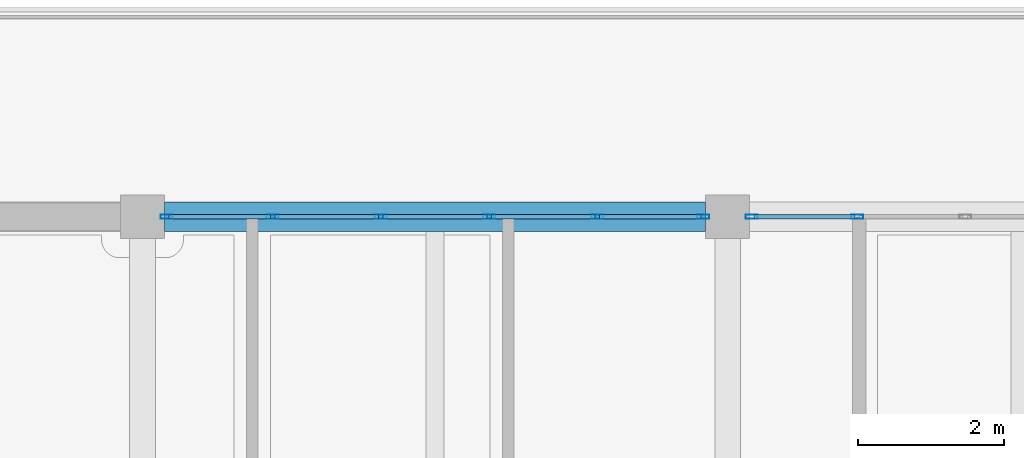
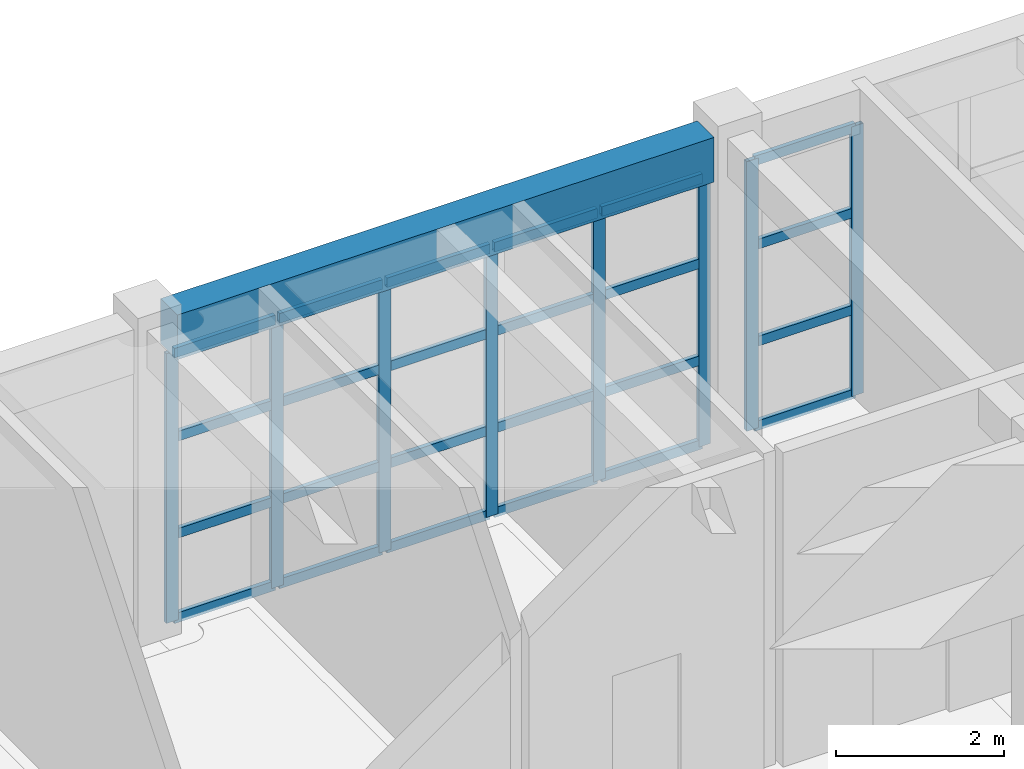
# One storey, part 12 of 32: 32 members, 1 beam, 2 elements without a shape of their own.
"""IFC4 building model written with IfcOpenShell, lengths in metres."""

from ifc_helpers import new_model, si_unit, direction, frame, origin, origin_2d, place, context, subcontext, project, spatial, rectangle, hollow_rectangle, extrude, material, material_profile, profile_set, type_object, element, aggregate, save


model = new_model("IFC4")

# Units and contexts
model_context = context("Model", 3, precision=1e-05, world=origin(), true_north=direction((0.0, 1.0)))
body_context = subcontext(model_context, "Body", "Model", "MODEL_VIEW")
ifc_project = project(units=[si_unit("LENGTHUNIT", "METRE"), si_unit("AREAUNIT", "SQUARE_METRE"), si_unit("VOLUMEUNIT", "CUBIC_METRE"), si_unit("PLANEANGLEUNIT", "RADIAN"), si_unit("MASSUNIT", "GRAM", prefix="KILO")], contexts=[model_context])

# Site, building, storey
site_placement = place(None, origin())
site = spatial("IfcSite", under=ifc_project, at=site_placement, CompositionType="ELEMENT")
building_placement = place(site_placement, origin())
building = spatial("IfcBuilding", under=site, at=building_placement, Name="Zantavel Square City Hall", CompositionType="ELEMENT")
storey_placement = place(building_placement, frame((0.0, 0.0, 23.699951171875)))
storey = spatial("IfcBuildingStorey", under=building, at=storey_placement, Name="L06", CompositionType="ELEMENT", Elevation=23.699951171875)

# Curtain wall, members
ifc_material_1 = material(Name="Anodised aluminium 6063-T6", Category="aluminium")
curtain_wall_type_1 = type_object("IfcCurtainWallType", Name="Curtain Wall TRV1 7400x3930", PredefinedType="USERDEFINED", material=ifc_material_1)
curtain_wall_1_placement = place(storey_placement, origin())
curtain_wall_1 = element("IfcCurtainWall", 1, at=curtain_wall_1_placement, inside=storey, type_object=curtain_wall_type_1, Name="L06 Glazed Curtain Wall CW-L06-147", ObjectType="GLAZED CURTAIN WALL", PredefinedType="USERDEFINED")
ifc_material_profile_1 = material_profile(ifc_material_1, hollow_rectangle(XDim=0.06005859375, YDim=0.1650390625, WallThickness=0.00390625, at=origin_2d()), Name="ALU 60x165x4")
ifc_profile_set_1 = profile_set([ifc_material_profile_1], Name="Anodised aluminium 6063-T6")
member_type_1 = type_object("IfcMemberType", Name="CW Council Gallery Mullion ALU 60x165x4", PredefinedType="MULLION", material=ifc_profile_set_1)
member_1_placement = place(storey_placement, frame((80.330078125, 68.39990234375, 0.0), z_axis=(0.0, 0.0, 1.0), x_axis=(0.0, 1.0, 0.0)))
member_1 = element("IfcMember", 2, at=member_1_placement, type_object=member_type_1, Name="CW-147 mullion 1", PredefinedType="MULLION", context=body_context, shape_type="SweptSolid", body=[
    extrude(hollow_rectangle(XDim=0.06005859375, YDim=0.1650390625, WallThickness=0.00390625, at=origin_2d()), origin(), (0.0, 0.0, 1.0), 3.929931640625),
])
member_2_placement = place(storey_placement, frame((81.780029296875, 68.39990234375, 0.0), z_axis=(0.0, 0.0, 1.0), x_axis=(0.0, 1.0, 0.0)))
member_2 = element("IfcMember", 3, at=member_2_placement, type_object=member_type_1, Name="CW-147 mullion 2", PredefinedType="MULLION", context=body_context, shape_type="SweptSolid", body=[
    extrude(hollow_rectangle(XDim=0.06005859375, YDim=0.1650390625, WallThickness=0.00390625, at=origin_2d()), origin(), (0.0, 0.0, 1.0), 3.929931640625),
])
member_3_placement = place(storey_placement, frame((83.260009765625, 68.39990234375, 0.0), z_axis=(0.0, 0.0, 1.0), x_axis=(0.0, 1.0, 0.0)))
member_3 = element("IfcMember", 4, at=member_3_placement, type_object=member_type_1, Name="CW-147 mullion 3", PredefinedType="MULLION", context=body_context, shape_type="SweptSolid", body=[
    extrude(hollow_rectangle(XDim=0.06005859375, YDim=0.1650390625, WallThickness=0.00390625, at=origin_2d()), origin(), (0.0, 0.0, 1.0), 3.929931640625),
])
member_4_placement = place(storey_placement, frame((84.739990234375, 68.39990234375, 0.0), z_axis=(0.0, 0.0, 1.0), x_axis=(0.0, 1.0, 0.0)))
member_4 = element("IfcMember", 5, at=member_4_placement, type_object=member_type_1, Name="CW-147 mullion 4", PredefinedType="MULLION", context=body_context, shape_type="SweptSolid", body=[
    extrude(hollow_rectangle(XDim=0.06005859375, YDim=0.1650390625, WallThickness=0.00390625, at=origin_2d()), origin(), (0.0, 0.0, 1.0), 3.929931640625),
])
member_5_placement = place(storey_placement, frame((86.219970703125, 68.39990234375, 0.0), z_axis=(0.0, 0.0, 1.0), x_axis=(0.0, 1.0, 0.0)))
member_5 = element("IfcMember", 6, at=member_5_placement, type_object=member_type_1, Name="CW-147 mullion 5", PredefinedType="MULLION", context=body_context, shape_type="SweptSolid", body=[
    extrude(hollow_rectangle(XDim=0.06005859375, YDim=0.1650390625, WallThickness=0.00390625, at=origin_2d()), origin(), (0.0, 0.0, 1.0), 3.929931640625),
])
member_6_placement = place(storey_placement, frame((87.669921875, 68.39990234375, 0.0), z_axis=(0.0, 0.0, 1.0), x_axis=(0.0, 1.0, 0.0)))
member_6 = element("IfcMember", 7, at=member_6_placement, type_object=member_type_1, Name="CW-147 mullion 6", PredefinedType="MULLION", context=body_context, shape_type="SweptSolid", body=[
    extrude(hollow_rectangle(XDim=0.06005859375, YDim=0.1650390625, WallThickness=0.00390625, at=origin_2d()), origin(), (0.0, 0.0, 1.0), 3.929931640625),
])

curtain_wall_type_2 = type_object("IfcCurtainWallType", Name="Curtain Wall TRV1 7375x3930", PredefinedType="USERDEFINED", material=ifc_material_1)
curtain_wall_2_placement = place(storey_placement, origin())
curtain_wall_2 = element("IfcCurtainWall", 8, at=curtain_wall_2_placement, inside=storey, type_object=curtain_wall_type_2, Name="L06 Glazed Curtain Wall CW-L06-148", ObjectType="GLAZED CURTAIN WALL", PredefinedType="USERDEFINED")
member_7_placement = place(storey_placement, frame((88.330078125, 68.39990234375, 0.0), z_axis=(0.0, 0.0, 1.0), x_axis=(0.0, 1.0, 0.0)))
member_7 = element("IfcMember", 9, at=member_7_placement, type_object=member_type_1, Name="CW-148 mullion 1", PredefinedType="MULLION", context=body_context, shape_type="SweptSolid", body=[
    extrude(hollow_rectangle(XDim=0.06005859375, YDim=0.1650390625, WallThickness=0.00390625, at=origin_2d()), origin(), (0.0, 0.0, 1.0), 3.929931640625),
])
member_8_placement = place(storey_placement, frame((89.77490234375, 68.39990234375, 0.0), z_axis=(0.0, 0.0, 1.0), x_axis=(0.0, 1.0, 0.0)))
member_8 = element("IfcMember", 10, at=member_8_placement, type_object=member_type_1, Name="CW-148 mullion 2", PredefinedType="MULLION", context=body_context, shape_type="SweptSolid", body=[
    extrude(hollow_rectangle(XDim=0.06005859375, YDim=0.1650390625, WallThickness=0.00390625, at=origin_2d()), origin(), (0.0, 0.0, 1.0), 3.929931640625),
])

# Member
ifc_material_profile_2 = material_profile(ifc_material_1, hollow_rectangle(XDim=0.06005859375, YDim=0.139892578125, WallThickness=0.00390625, at=origin_2d()), Name="ALU 60x140x4")
ifc_profile_set_2 = profile_set([ifc_material_profile_2], Name="Anodised aluminium 6063-T6")
member_type_2 = type_object("IfcMemberType", Name="CW Transom ALU 60x140x4", PredefinedType="USERDEFINED", material=ifc_profile_set_2)
member_9_placement = place(storey_placement, frame((80.360107421875, 68.39990234375, 0.030029296875), z_axis=(1.0, 0.0, 0.0), x_axis=(0.0, 1.0, 0.0)))
member_9 = element("IfcMember", 11, at=member_9_placement, type_object=member_type_2, Name="CW-147 transom 1.1", ObjectType="TRANSOM", PredefinedType="USERDEFINED", context=body_context, shape_type="SweptSolid", body=[
    extrude(hollow_rectangle(XDim=0.06005859375, YDim=0.139892578125, WallThickness=0.00390625, at=origin_2d()), origin(), (0.0, 0.0, 1.0), 1.389892578125),
])

member_10_placement = place(storey_placement, frame((80.360107421875, 68.39990234375, 1.258056640625), z_axis=(1.0, 0.0, 0.0), x_axis=(0.0, 1.0, 0.0)))
member_10 = element("IfcMember", 12, at=member_10_placement, type_object=member_type_2, Name="CW-147 transom 1.2", ObjectType="TRANSOM", PredefinedType="USERDEFINED", context=body_context, shape_type="SweptSolid", body=[
    extrude(hollow_rectangle(XDim=0.06005859375, YDim=0.139892578125, WallThickness=0.00390625, at=origin_2d()), origin(), (0.0, 0.0, 1.0), 1.389892578125),
])

member_11_placement = place(storey_placement, frame((80.360107421875, 68.39990234375, 2.672119140625), z_axis=(1.0, 0.0, 0.0), x_axis=(0.0, 1.0, 0.0)))
member_11 = element("IfcMember", 13, at=member_11_placement, type_object=member_type_2, Name="CW-147 transom 1.3", ObjectType="TRANSOM", PredefinedType="USERDEFINED", context=body_context, shape_type="SweptSolid", body=[
    extrude(hollow_rectangle(XDim=0.06005859375, YDim=0.139892578125, WallThickness=0.00390625, at=origin_2d()), origin(), (0.0, 0.0, 1.0), 1.389892578125),
])

member_12_placement = place(storey_placement, frame((80.360107421875, 68.39990234375, 3.900146484375), z_axis=(1.0, 0.0, 0.0), x_axis=(0.0, 1.0, 0.0)))
member_12 = element("IfcMember", 14, at=member_12_placement, type_object=member_type_2, Name="CW-147 transom 1.4", ObjectType="TRANSOM", PredefinedType="USERDEFINED", context=body_context, shape_type="SweptSolid", body=[
    extrude(hollow_rectangle(XDim=0.06005859375, YDim=0.139892578125, WallThickness=0.00390625, at=origin_2d()), origin(), (0.0, 0.0, 1.0), 1.389892578125),
])

member_13_placement = place(storey_placement, frame((81.81005859375, 68.39990234375, 0.030029296875), z_axis=(1.0, 0.0, 0.0), x_axis=(0.0, 1.0, 0.0)))
member_13 = element("IfcMember", 15, at=member_13_placement, type_object=member_type_2, Name="CW-147 transom 2.1", ObjectType="TRANSOM", PredefinedType="USERDEFINED", context=body_context, shape_type="SweptSolid", body=[
    extrude(hollow_rectangle(XDim=0.06005859375, YDim=0.139892578125, WallThickness=0.00390625, at=origin_2d()), origin(), (0.0, 0.0, 1.0), 1.419921875),
])

member_14_placement = place(storey_placement, frame((81.81005859375, 68.39990234375, 1.258056640625), z_axis=(1.0, 0.0, 0.0), x_axis=(0.0, 1.0, 0.0)))
member_14 = element("IfcMember", 16, at=member_14_placement, type_object=member_type_2, Name="CW-147 transom 2.2", ObjectType="TRANSOM", PredefinedType="USERDEFINED", context=body_context, shape_type="SweptSolid", body=[
    extrude(hollow_rectangle(XDim=0.06005859375, YDim=0.139892578125, WallThickness=0.00390625, at=origin_2d()), origin(), (0.0, 0.0, 1.0), 1.419921875),
])

member_15_placement = place(storey_placement, frame((81.81005859375, 68.39990234375, 2.672119140625), z_axis=(1.0, 0.0, 0.0), x_axis=(0.0, 1.0, 0.0)))
member_15 = element("IfcMember", 17, at=member_15_placement, type_object=member_type_2, Name="CW-147 transom 2.3", ObjectType="TRANSOM", PredefinedType="USERDEFINED", context=body_context, shape_type="SweptSolid", body=[
    extrude(hollow_rectangle(XDim=0.06005859375, YDim=0.139892578125, WallThickness=0.00390625, at=origin_2d()), origin(), (0.0, 0.0, 1.0), 1.419921875),
])

member_16_placement = place(storey_placement, frame((81.81005859375, 68.39990234375, 3.900146484375), z_axis=(1.0, 0.0, 0.0), x_axis=(0.0, 1.0, 0.0)))
member_16 = element("IfcMember", 18, at=member_16_placement, type_object=member_type_2, Name="CW-147 transom 2.4", ObjectType="TRANSOM", PredefinedType="USERDEFINED", context=body_context, shape_type="SweptSolid", body=[
    extrude(hollow_rectangle(XDim=0.06005859375, YDim=0.139892578125, WallThickness=0.00390625, at=origin_2d()), origin(), (0.0, 0.0, 1.0), 1.419921875),
])

member_17_placement = place(storey_placement, frame((83.2900390625, 68.39990234375, 0.030029296875), z_axis=(1.0, 0.0, 0.0), x_axis=(0.0, 1.0, 0.0)))
member_17 = element("IfcMember", 19, at=member_17_placement, type_object=member_type_2, Name="CW-147 transom 3.1", ObjectType="TRANSOM", PredefinedType="USERDEFINED", context=body_context, shape_type="SweptSolid", body=[
    extrude(hollow_rectangle(XDim=0.06005859375, YDim=0.139892578125, WallThickness=0.00390625, at=origin_2d()), origin(), (0.0, 0.0, 1.0), 1.419921875),
])

member_18_placement = place(storey_placement, frame((83.2900390625, 68.39990234375, 1.258056640625), z_axis=(1.0, 0.0, 0.0), x_axis=(0.0, 1.0, 0.0)))
member_18 = element("IfcMember", 20, at=member_18_placement, type_object=member_type_2, Name="CW-147 transom 3.2", ObjectType="TRANSOM", PredefinedType="USERDEFINED", context=body_context, shape_type="SweptSolid", body=[
    extrude(hollow_rectangle(XDim=0.06005859375, YDim=0.139892578125, WallThickness=0.00390625, at=origin_2d()), origin(), (0.0, 0.0, 1.0), 1.419921875),
])

member_19_placement = place(storey_placement, frame((83.2900390625, 68.39990234375, 2.672119140625), z_axis=(1.0, 0.0, 0.0), x_axis=(0.0, 1.0, 0.0)))
member_19 = element("IfcMember", 21, at=member_19_placement, type_object=member_type_2, Name="CW-147 transom 3.3", ObjectType="TRANSOM", PredefinedType="USERDEFINED", context=body_context, shape_type="SweptSolid", body=[
    extrude(hollow_rectangle(XDim=0.06005859375, YDim=0.139892578125, WallThickness=0.00390625, at=origin_2d()), origin(), (0.0, 0.0, 1.0), 1.419921875),
])

member_20_placement = place(storey_placement, frame((83.2900390625, 68.39990234375, 3.900146484375), z_axis=(1.0, 0.0, 0.0), x_axis=(0.0, 1.0, 0.0)))
member_20 = element("IfcMember", 22, at=member_20_placement, type_object=member_type_2, Name="CW-147 transom 3.4", ObjectType="TRANSOM", PredefinedType="USERDEFINED", context=body_context, shape_type="SweptSolid", body=[
    extrude(hollow_rectangle(XDim=0.06005859375, YDim=0.139892578125, WallThickness=0.00390625, at=origin_2d()), origin(), (0.0, 0.0, 1.0), 1.419921875),
])

member_21_placement = place(storey_placement, frame((84.77001953125, 68.39990234375, 0.030029296875), z_axis=(1.0, 0.0, 0.0), x_axis=(0.0, 1.0, 0.0)))
member_21 = element("IfcMember", 23, at=member_21_placement, type_object=member_type_2, Name="CW-147 transom 4.1", ObjectType="TRANSOM", PredefinedType="USERDEFINED", context=body_context, shape_type="SweptSolid", body=[
    extrude(hollow_rectangle(XDim=0.06005859375, YDim=0.139892578125, WallThickness=0.00390625, at=origin_2d()), origin(), (0.0, 0.0, 1.0), 1.419921875),
])

member_22_placement = place(storey_placement, frame((84.77001953125, 68.39990234375, 1.258056640625), z_axis=(1.0, 0.0, 0.0), x_axis=(0.0, 1.0, 0.0)))
member_22 = element("IfcMember", 24, at=member_22_placement, type_object=member_type_2, Name="CW-147 transom 4.2", ObjectType="TRANSOM", PredefinedType="USERDEFINED", context=body_context, shape_type="SweptSolid", body=[
    extrude(hollow_rectangle(XDim=0.06005859375, YDim=0.139892578125, WallThickness=0.00390625, at=origin_2d()), origin(), (0.0, 0.0, 1.0), 1.419921875),
])

member_23_placement = place(storey_placement, frame((84.77001953125, 68.39990234375, 2.672119140625), z_axis=(1.0, 0.0, 0.0), x_axis=(0.0, 1.0, 0.0)))
member_23 = element("IfcMember", 25, at=member_23_placement, type_object=member_type_2, Name="CW-147 transom 4.3", ObjectType="TRANSOM", PredefinedType="USERDEFINED", context=body_context, shape_type="SweptSolid", body=[
    extrude(hollow_rectangle(XDim=0.06005859375, YDim=0.139892578125, WallThickness=0.00390625, at=origin_2d()), origin(), (0.0, 0.0, 1.0), 1.419921875),
])

member_24_placement = place(storey_placement, frame((84.77001953125, 68.39990234375, 3.900146484375), z_axis=(1.0, 0.0, 0.0), x_axis=(0.0, 1.0, 0.0)))
member_24 = element("IfcMember", 26, at=member_24_placement, type_object=member_type_2, Name="CW-147 transom 4.4", ObjectType="TRANSOM", PredefinedType="USERDEFINED", context=body_context, shape_type="SweptSolid", body=[
    extrude(hollow_rectangle(XDim=0.06005859375, YDim=0.139892578125, WallThickness=0.00390625, at=origin_2d()), origin(), (0.0, 0.0, 1.0), 1.419921875),
])

member_25_placement = place(storey_placement, frame((86.25, 68.39990234375, 0.030029296875), z_axis=(1.0, 0.0, 0.0), x_axis=(0.0, 1.0, 0.0)))
member_25 = element("IfcMember", 27, at=member_25_placement, type_object=member_type_2, Name="CW-147 transom 5.1", ObjectType="TRANSOM", PredefinedType="USERDEFINED", context=body_context, shape_type="SweptSolid", body=[
    extrude(hollow_rectangle(XDim=0.06005859375, YDim=0.139892578125, WallThickness=0.00390625, at=origin_2d()), origin(), (0.0, 0.0, 1.0), 1.389892578125),
])

member_26_placement = place(storey_placement, frame((86.25, 68.39990234375, 1.258056640625), z_axis=(1.0, 0.0, 0.0), x_axis=(0.0, 1.0, 0.0)))
member_26 = element("IfcMember", 28, at=member_26_placement, type_object=member_type_2, Name="CW-147 transom 5.2", ObjectType="TRANSOM", PredefinedType="USERDEFINED", context=body_context, shape_type="SweptSolid", body=[
    extrude(hollow_rectangle(XDim=0.06005859375, YDim=0.139892578125, WallThickness=0.00390625, at=origin_2d()), origin(), (0.0, 0.0, 1.0), 1.389892578125),
])

member_27_placement = place(storey_placement, frame((86.25, 68.39990234375, 2.672119140625), z_axis=(1.0, 0.0, 0.0), x_axis=(0.0, 1.0, 0.0)))
member_27 = element("IfcMember", 29, at=member_27_placement, type_object=member_type_2, Name="CW-147 transom 5.3", ObjectType="TRANSOM", PredefinedType="USERDEFINED", context=body_context, shape_type="SweptSolid", body=[
    extrude(hollow_rectangle(XDim=0.06005859375, YDim=0.139892578125, WallThickness=0.00390625, at=origin_2d()), origin(), (0.0, 0.0, 1.0), 1.389892578125),
])

member_28_placement = place(storey_placement, frame((86.25, 68.39990234375, 3.900146484375), z_axis=(1.0, 0.0, 0.0), x_axis=(0.0, 1.0, 0.0)))
member_28 = element("IfcMember", 30, at=member_28_placement, type_object=member_type_2, Name="CW-147 transom 5.4", ObjectType="TRANSOM", PredefinedType="USERDEFINED", context=body_context, shape_type="SweptSolid", body=[
    extrude(hollow_rectangle(XDim=0.06005859375, YDim=0.139892578125, WallThickness=0.00390625, at=origin_2d()), origin(), (0.0, 0.0, 1.0), 1.389892578125),
])

aggregate(curtain_wall_1, [member_1, member_2, member_3, member_4, member_5, member_6, member_9, member_10, member_11, member_12, member_13, member_14, member_15, member_16, member_17, member_18, member_19, member_20, member_21, member_22, member_23, member_24, member_25, member_26, member_27, member_28])

member_29_placement = place(storey_placement, frame((88.360107421875, 68.39990234375, 0.030029296875), z_axis=(1.0, 0.0, 0.0), x_axis=(0.0, 1.0, 0.0)))
member_29 = element("IfcMember", 31, at=member_29_placement, type_object=member_type_2, Name="CW-148 transom 1.1", ObjectType="TRANSOM", PredefinedType="USERDEFINED", context=body_context, shape_type="SweptSolid", body=[
    extrude(hollow_rectangle(XDim=0.06005859375, YDim=0.139892578125, WallThickness=0.00390625, at=origin_2d()), origin(), (0.0, 0.0, 1.0), 1.385009765625),
])

member_30_placement = place(storey_placement, frame((88.360107421875, 68.39990234375, 1.258056640625), z_axis=(1.0, 0.0, 0.0), x_axis=(0.0, 1.0, 0.0)))
member_30 = element("IfcMember", 32, at=member_30_placement, type_object=member_type_2, Name="CW-148 transom 1.2", ObjectType="TRANSOM", PredefinedType="USERDEFINED", context=body_context, shape_type="SweptSolid", body=[
    extrude(hollow_rectangle(XDim=0.06005859375, YDim=0.139892578125, WallThickness=0.00390625, at=origin_2d()), origin(), (0.0, 0.0, 1.0), 1.385009765625),
])

member_31_placement = place(storey_placement, frame((88.360107421875, 68.39990234375, 2.672119140625), z_axis=(1.0, 0.0, 0.0), x_axis=(0.0, 1.0, 0.0)))
member_31 = element("IfcMember", 33, at=member_31_placement, type_object=member_type_2, Name="CW-148 transom 1.3", ObjectType="TRANSOM", PredefinedType="USERDEFINED", context=body_context, shape_type="SweptSolid", body=[
    extrude(hollow_rectangle(XDim=0.06005859375, YDim=0.139892578125, WallThickness=0.00390625, at=origin_2d()), origin(), (0.0, 0.0, 1.0), 1.385009765625),
])

member_32_placement = place(storey_placement, frame((88.360107421875, 68.39990234375, 3.900146484375), z_axis=(1.0, 0.0, 0.0), x_axis=(0.0, 1.0, 0.0)))
member_32 = element("IfcMember", 34, at=member_32_placement, type_object=member_type_2, Name="CW-148 transom 1.4", ObjectType="TRANSOM", PredefinedType="USERDEFINED", context=body_context, shape_type="SweptSolid", body=[
    extrude(hollow_rectangle(XDim=0.06005859375, YDim=0.139892578125, WallThickness=0.00390625, at=origin_2d()), origin(), (0.0, 0.0, 1.0), 1.385009765625),
])

aggregate(curtain_wall_2, [member_7, member_8, member_29, member_30, member_31, member_32])

# Beam
ifc_material_2 = material(Name="Concrete C35/45", Category="concrete")
ifc_material_profile_3 = material_profile(ifc_material_2, rectangle(XDim=0.39990234375, YDim=0.64990234375, at=origin_2d()), Name="RC 400x650")
ifc_profile_set_3 = profile_set([ifc_material_profile_3], Name="Concrete C35/45")
beam_type = type_object("IfcBeamType", Name="Frame Beam RC 400x650 C35/45", PredefinedType="BEAM", material=ifc_profile_set_3)
beam_placement = place(storey_placement, frame((80.300048828125, 68.39990234375, 4.255126953125), z_axis=(1.0, 0.0, 0.0), x_axis=(0.0, 1.0, 0.0)))
element("IfcBeam", 35, at=beam_placement, inside=storey, type_object=beam_type, Name="L06 Girder BMX-L06-0800-0684", PredefinedType="BEAM", context=body_context, shape_type="SweptSolid", body=[
    extrude(rectangle(XDim=0.39990234375, YDim=0.64990234375, at=origin_2d()), origin(), (0.0, 0.0, 1.0), 7.39990234375),
])

save(model, "model.ifc")
